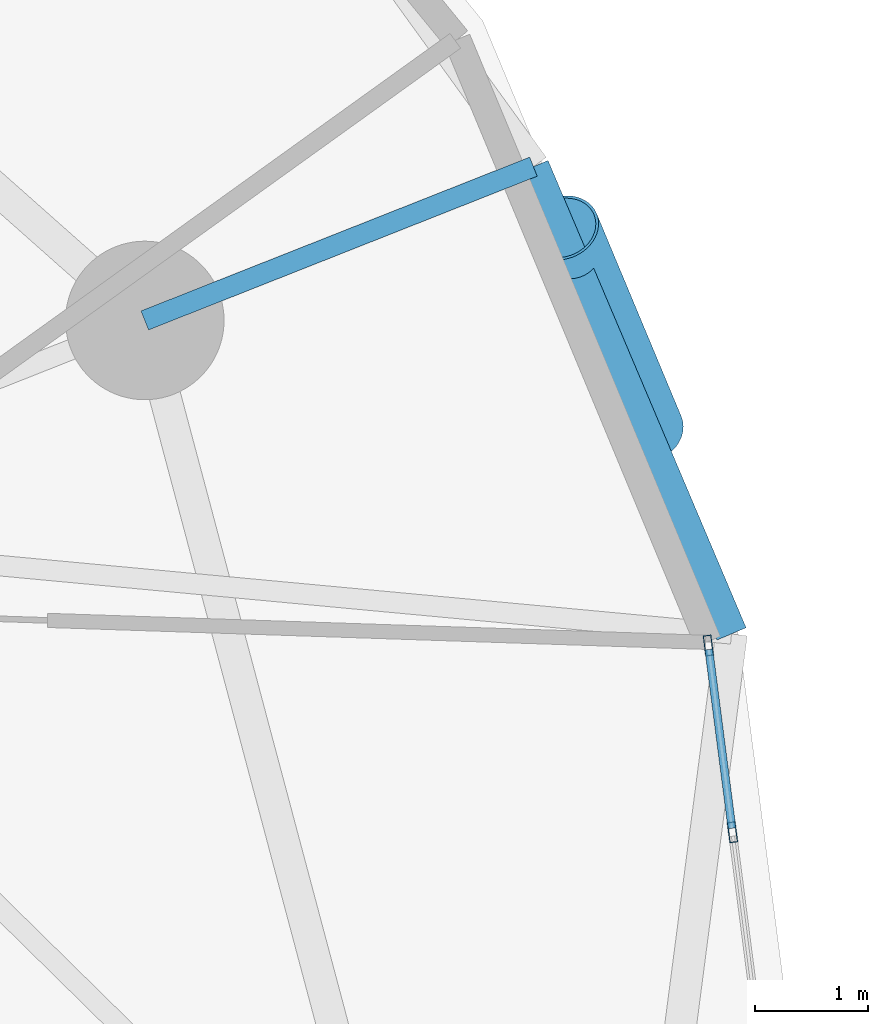
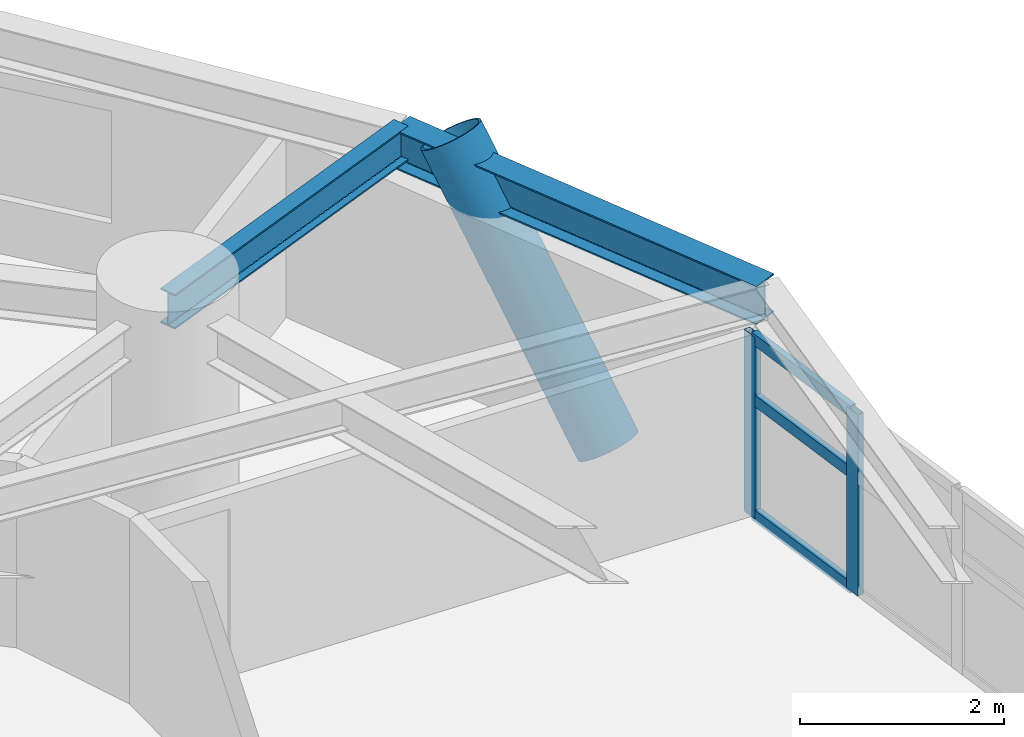
# One storey, part 4 of 17: 6 members, 2 beams, 1 element without a shape of its own.
"""IFC4 building model written with IfcOpenShell, lengths in metres."""

import ifcopenshell
import ifcopenshell.guid

model = None  # the IFC model being written
_history = None  # IfcOwnerHistory: only IFC2X3 demands one
_inside = {}  # id of a spatial element -> (the spatial element, [elements in it])
_under = {}  # id of a project, library or spatial element -> (it, [spatial elements below it])
_declared = {}  # id of a project -> (the project, [libraries it declares])
_typed = {}  # id of a type object -> (the type object, [elements of that type])
_made_of = {}  # id of a material, layer set ... -> (it, [elements and type objects made of it])


def new_model(schema):
    """Start an empty IFC model of exactly this schema.

    Asked for "IFC4X3", IfcOpenShell would pick the latest addendum, in which some entities
    have other attributes; the version numbers below select the first issue.
    IFC2X3 requires an IfcOwnerHistory on every rooted entity: one is made here for all.
    """
    global model, _history
    if schema == "IFC4X3":
        model = ifcopenshell.file(schema_version=(4, 3, 0, 0))
    else:
        model = ifcopenshell.file(schema=schema)
    _inside.clear()
    _under.clear()
    _declared.clear()
    _typed.clear()
    _made_of.clear()
    _history = None
    if model.schema == "IFC2X3":
        org = make("IfcOrganization", Name="unknown")
        user = make(
            "IfcPersonAndOrganization",
            ThePerson=make("IfcPerson", FamilyName="unknown"),
            TheOrganization=org,
        )
        app = make(
            "IfcApplication",
            ApplicationDeveloper=org,
            Version="unknown",
            ApplicationFullName="unknown",
            ApplicationIdentifier="unknown",
        )
        _history = make(
            "IfcOwnerHistory",
            OwningUser=user,
            OwningApplication=app,
            ChangeAction="ADDED",
            CreationDate=0,
        )
    return model


def make(cls, **values):
    """One entity of the class cls with the attributes given. An attribute that is None is left unset."""
    return model.create_entity(
        cls, **{name: value for name, value in values.items() if value is not None}
    )


def rooted(cls, **values):
    """An entity with a GlobalId (a new one), such as an element, a storey or a relation."""
    return make(cls, GlobalId=ifcopenshell.guid.new(), OwnerHistory=_history, **values)


def si_unit(unit_type, name, prefix=None):
    """IfcSIUnit, for example si_unit("LENGTHUNIT", "METRE", prefix="MILLI")."""
    return make("IfcSIUnit", UnitType=unit_type, Prefix=prefix, Name=name)


def assignment(units):
    """IfcUnitAssignment: the units of a project."""
    return None if units is None else make("IfcUnitAssignment", Units=units)


def point(xyz):
    """IfcCartesianPoint."""
    return None if xyz is None else make("IfcCartesianPoint", Coordinates=xyz)


def direction(xyz):
    """IfcDirection."""
    return None if xyz is None else make("IfcDirection", DirectionRatios=xyz)


def frame(location, z_axis=None, x_axis=None):
    """IfcAxis2Placement3D, a coordinate frame: its origin and axes. An axis left out is left unset."""
    return make(
        "IfcAxis2Placement3D",
        Location=point(location),
        Axis=direction(z_axis),
        RefDirection=direction(x_axis),
    )


def frame_2d(location, x_axis=None):
    """IfcAxis2Placement2D, a coordinate frame in the plane: its origin and x axis."""
    return make(
        "IfcAxis2Placement2D", Location=point(location), RefDirection=direction(x_axis)
    )


def origin():
    """The frame at (0, 0, 0) with its axes left unset."""
    return frame((0.0, 0.0, 0.0))


def origin_2d():
    """The frame at (0, 0) in the plane with its x axis left unset."""
    return frame_2d((0.0, 0.0))


def place(relative_to, where):
    """IfcLocalPlacement: puts the frame where relative to a parent placement (None: the world)."""
    return make(
        "IfcLocalPlacement", PlacementRelTo=relative_to, RelativePlacement=where
    )


def context(
    kind, dimensions, precision=None, world=None, true_north=None, identifier=None
):
    """IfcGeometricRepresentationContext, for example the 3D "Model" context."""
    return make(
        "IfcGeometricRepresentationContext",
        ContextIdentifier=identifier,
        ContextType=kind,
        CoordinateSpaceDimension=dimensions,
        Precision=precision,
        WorldCoordinateSystem=world,
        TrueNorth=true_north,
    )


def subcontext(parent, identifier, kind, view, scale=None):
    """IfcGeometricRepresentationSubContext, for example "Body" below "Model"."""
    return make(
        "IfcGeometricRepresentationSubContext",
        ContextIdentifier=identifier,
        ContextType=kind,
        ParentContext=parent,
        TargetScale=scale,
        TargetView=view,
    )


def project(units=None, contexts=None):
    """IfcProject with its units and contexts."""
    return rooted(
        "IfcProject",
        Name="project",
        RepresentationContexts=contexts,
        UnitsInContext=assignment(units),
    )


def spatial(cls, under=None, at=None, **own):
    """A site, building, storey or space (cls), placed at a placement, below another one or the project."""
    s = rooted(cls, ObjectPlacement=at, **own)
    if under is not None:
        _under.setdefault(under.id(), (under, []))[1].append(s)
    return s


def profile(cls, at=None, kind="AREA", **sizes):
    """A parametric profile (cls). Its sizes go by their IFC names, for example OverallWidth=200.0."""
    return make(cls, ProfileType=kind, Position=at, **sizes)


def hollow_rectangle(**sizes):
    """IfcRectangleHollowProfileDef."""
    return profile("IfcRectangleHollowProfileDef", **sizes)


def hollow_circle(**sizes):
    """IfcCircleHollowProfileDef."""
    return profile("IfcCircleHollowProfileDef", **sizes)


def i_section(**sizes):
    """IfcIShapeProfileDef."""
    return profile("IfcIShapeProfileDef", **sizes)


def extrude(swept, where, along, depth):
    """IfcExtrudedAreaSolid: the profile swept, set in the frame where, extruded along a direction by depth."""
    return make(
        "IfcExtrudedAreaSolid",
        SweptArea=swept,
        Position=where,
        ExtrudedDirection=direction(along),
        Depth=depth,
    )


def shape(context_of_items, identifier, shape_type, items):
    """IfcShapeRepresentation: the items that make up one representation, for example the "Body"."""
    return make(
        "IfcShapeRepresentation",
        ContextOfItems=context_of_items,
        RepresentationIdentifier=identifier,
        RepresentationType=shape_type,
        Items=items,
    )


def material(Name=None, Category=None):
    """IfcMaterial."""
    return make("IfcMaterial", Name=Name, Category=Category)


def layer(
    of_material, thickness, ventilated=None, Name=None, Category=None, Priority=None
):
    """IfcMaterialLayer: one layer of a wall or slab, of a material (None: an air gap)."""
    return make(
        "IfcMaterialLayer",
        Material=of_material,
        LayerThickness=thickness,
        IsVentilated=ventilated,
        Name=Name,
        Category=Category,
        Priority=Priority,
    )


def layer_set(layers, Name=None):
    """IfcMaterialLayerSet."""
    return make("IfcMaterialLayerSet", MaterialLayers=layers, LayerSetName=Name)


def material_profile(
    of_material, cross_section, Name=None, Category=None, Priority=None
):
    """IfcMaterialProfile: a cross section and its material."""
    return make(
        "IfcMaterialProfile",
        Name=Name,
        Material=of_material,
        Profile=cross_section,
        Priority=Priority,
        Category=Category,
    )


def profile_set(profiles, Name=None, composite=None):
    """IfcMaterialProfileSet."""
    return make(
        "IfcMaterialProfileSet",
        Name=Name,
        MaterialProfiles=profiles,
        CompositeProfile=composite,
    )


def made_of(thing, what):
    """Note that an element or type object is made of a material, layer set ...; save() writes the relation."""
    if what is not None:
        _made_of.setdefault(what.id(), (what, []))[1].append(thing)
    return thing


def type_object(cls, material=None, **own):
    """A type object (cls), such as IfcWallType, which elements share."""
    return made_of(rooted(cls, **own), material)


def element(
    cls,
    number,
    at=None,
    inside=None,
    cuts=None,
    type_object=None,
    material=None,
    context=None,
    identifier="Body",
    shape_type=None,
    held_by="IfcProductDefinitionShape",
    body=None,
    shapes=None,
    **own,
):
    """One element of the class cls, such as IfcWall. Its Tag is "e" and its number.

    at: its placement. inside: the storey or other place that contains it. cuts: it is an
    opening in that element (IfcRelVoidsElement). A single representation is given by context,
    identifier, shape_type and body (its items); several are given by shapes. held_by: the class
    of the entity that holds the representations. save() writes the other relations.
    """
    e = rooted(cls, Tag="e%d" % number, ObjectPlacement=at, **own)
    if body is not None:
        shapes = [shape(context, identifier, shape_type, body)]
    if shapes is not None:
        e.Representation = make(held_by, Representations=shapes)
    if inside is not None:
        _inside.setdefault(inside.id(), (inside, []))[1].append(e)
    if cuts is not None:
        rooted(
            "IfcRelVoidsElement", RelatingBuildingElement=cuts, RelatedOpeningElement=e
        )
    if type_object is not None:
        _typed.setdefault(type_object.id(), (type_object, []))[1].append(e)
    return made_of(e, material)


def aggregate(whole, parts):
    """IfcRelAggregates: a whole, such as a stair, and the parts it consists of."""
    return rooted("IfcRelAggregates", RelatingObject=whole, RelatedObjects=parts)


def save(model, path):
    """Write the relations noted so far, then the file.

    IfcRelAggregates (storeys below a building ...), IfcRelContainedInSpatialStructure (elements
    in a storey), IfcRelDefinesByType, IfcRelAssociatesMaterial and IfcRelDeclares: one each for
    every whole, place, type object, material and project.
    """
    for whole, parts in _under.values():
        aggregate(whole, parts)
    for where, things in _inside.values():
        rooted(
            "IfcRelContainedInSpatialStructure",
            RelatedElements=things,
            RelatingStructure=where,
        )
    for kind, things in _typed.values():
        rooted("IfcRelDefinesByType", RelatedObjects=things, RelatingType=kind)
    for what, things in _made_of.values():
        rooted("IfcRelAssociatesMaterial", RelatedObjects=things, RelatingMaterial=what)
    for by, libraries in _declared.values():
        rooted("IfcRelDeclares", RelatingContext=by, RelatedDefinitions=libraries)
    model.write(path)


model = new_model("IFC4")

# Units and contexts
model_context = context("Model", 3, precision=1e-05, world=origin(), true_north=direction((0.0, 1.0)))
body_context = subcontext(model_context, "Body", "Model", "MODEL_VIEW")
ifc_project = project(units=[si_unit("LENGTHUNIT", "METRE"), si_unit("AREAUNIT", "SQUARE_METRE"), si_unit("VOLUMEUNIT", "CUBIC_METRE"), si_unit("PLANEANGLEUNIT", "RADIAN"), si_unit("MASSUNIT", "GRAM", prefix="KILO")], contexts=[model_context])

# Site, building, storey
site_placement = place(None, origin())
site = spatial("IfcSite", under=ifc_project, at=site_placement, CompositionType="ELEMENT")
building_placement = place(site_placement, origin())
building = spatial("IfcBuilding", under=site, at=building_placement, Name="Cununo Teusaquillo Station Towers", CompositionType="ELEMENT")
storey_placement = place(building_placement, frame((0.0, 0.0, 78.8798828125)))
storey = spatial("IfcBuildingStorey", under=building, at=storey_placement, Name="L24", CompositionType="ELEMENT", Elevation=78.8798828125)

# Beams
ifc_material_1 = material(Name="Steel ASTM A572 Grade 50", Category="steel")
ifc_material_profile_1 = material_profile(ifc_material_1, i_section(OverallWidth=0.180908203125, OverallDepth=0.4169921875, WebThickness=0.010986328125, FlangeThickness=0.018310546875, FilletRadius=0.012939453125, at=origin_2d()), Name="W16X57")
ifc_profile_set_1 = profile_set([ifc_material_profile_1], Name="Steel ASTM A572 Grade 50")
beam_type_1 = type_object("IfcBeamType", Name="BM-RAD-G2", PredefinedType="BEAM", material=ifc_profile_set_1)
beam_1_placement = place(storey_placement, frame((26.347412109375, 33.228515625, 2.461669921875), z_axis=(0.929861788731, 0.367909029323, 0.0), x_axis=(-0.367909029323, 0.929861788731, 0.0)))
element("IfcBeam", 1, at=beam_1_placement, inside=storey, type_object=beam_type_1, Name="L24 Tower A Perimeter Overhang Girder 02B", PredefinedType="BEAM", context=body_context, shape_type="SweptSolid", body=[
    extrude(i_section(OverallWidth=0.180908203125, OverallDepth=0.4169921875, WebThickness=0.010986328125, FlangeThickness=0.018310546875, FilletRadius=0.012939453125, at=origin_2d()), origin(), (0.0, 0.0, 1.0), 3.690185546875),
])
ifc_material_2 = material(Name="Steel ASTM A572 Grade 50", Category="steel")
ifc_material_profile_2 = material_profile(ifc_material_2, i_section(OverallWidth=0.280029296875, OverallDepth=0.462890625, WebThickness=0.0107421875, FlangeThickness=0.017333984375, FilletRadius=0.013916015625, at=origin_2d()), Name="W18X76")
ifc_profile_set_2 = profile_set([ifc_material_profile_2], Name="Steel ASTM A572 Grade 50")
beam_type_2 = type_object("IfcBeamType", Name="BM-RING-Z2", PredefinedType="SPANDREL", material=ifc_profile_set_2)
beam_2_placement = place(storey_placement, frame((31.527587890625, 30.4609375, 2.438720703125), z_axis=(-0.390299356049, 0.920688010494, 0.0), x_axis=(-0.920688010494, -0.390299356049, 0.0)))
element("IfcBeam", 2, at=beam_2_placement, inside=storey, type_object=beam_type_2, Name="L24 Tower A Spandrel Ring Beam 02", PredefinedType="SPANDREL", context=body_context, shape_type="SweptSolid", body=[
    extrude(i_section(OverallWidth=0.280029296875, OverallDepth=0.462890625, WebThickness=0.0107421875, FlangeThickness=0.017333984375, FilletRadius=0.013916015625, at=origin_2d()), origin(), (0.0, 0.0, 1.0), 4.480712890625),
])

# Curtain wall, members
ifc_material_3 = material(Name="Ceramic-fritted dark low-E double glazing", Category="glass")
ifc_layer = layer(ifc_material_3, 0.179931640625)
ifc_layer_set = layer_set([ifc_layer], Name="Ceramic-fritted dark low-E double glazing")
curtain_wall_type = type_object("IfcCurtainWallType", Name="CW-SYS-04", PredefinedType="USERDEFINED", material=ifc_layer_set)
curtain_wall_placement = place(storey_placement, origin())
curtain_wall = element("IfcCurtainWall", 3, at=curtain_wall_placement, inside=storey, type_object=curtain_wall_type, Name="L24 Tower A Facade Curtain Wall C00", ObjectType="FRITTED GLAZING", PredefinedType="USERDEFINED")
ifc_material_4 = material(Name="Anodised dark bronze aluminium EN AW-6063-T6", Category="aluminium")
ifc_material_profile_3 = material_profile(ifc_material_4, hollow_rectangle(XDim=0.070068359375, YDim=0.179931640625, WallThickness=0.00390625, at=origin_2d()), Name="CW-MULL-70x180")
ifc_profile_set_3 = profile_set([ifc_material_profile_3], Name="Anodised dark bronze aluminium EN AW-6063-T6")
member_type_1 = type_object("IfcMemberType", Name="CWM-180", PredefinedType="MULLION", material=ifc_profile_set_3)
member_1_placement = place(storey_placement, frame((31.322998046875, 30.3583984375, 0.0), z_axis=(0.0, 0.0, 1.0), x_axis=(0.991730764367, 0.128335852387, 0.0)))
member_1 = element("IfcMember", 4, at=member_1_placement, type_object=member_type_1, Name="CW-04 mullion 1", PredefinedType="MULLION", context=body_context, shape_type="SweptSolid", body=[
    extrude(hollow_rectangle(XDim=0.070068359375, YDim=0.179931640625, WallThickness=0.00390625, at=origin_2d()), origin(), (0.0, 0.0, 1.0), 2.17919921875),
])
member_2_placement = place(storey_placement, frame((31.5361328125, 28.709716796875, 0.0), z_axis=(0.0, 0.0, 1.0), x_axis=(0.991730764367, 0.128335852387, 0.0)))
member_2 = element("IfcMember", 5, at=member_2_placement, type_object=member_type_1, Name="CW-04 mullion 2", PredefinedType="MULLION", context=body_context, shape_type="SweptSolid", body=[
    extrude(hollow_rectangle(XDim=0.070068359375, YDim=0.179931640625, WallThickness=0.00390625, at=origin_2d()), origin(), (0.0, 0.0, 1.0), 2.17919921875),
])
ifc_material_5 = material(Name="Anodised dark bronze aluminium EN AW-6063-T6", Category="aluminium")
ifc_material_profile_4 = material_profile(ifc_material_5, hollow_rectangle(XDim=0.070068359375, YDim=0.139892578125, WallThickness=0.00390625, at=origin_2d()), Name="CW-TRAN-70x140")
ifc_profile_set_4 = profile_set([ifc_material_profile_4], Name="Anodised dark bronze aluminium EN AW-6063-T6")
member_type_2 = type_object("IfcMemberType", Name="CWT-140", PredefinedType="USERDEFINED", material=ifc_profile_set_4)
member_3_placement = place(storey_placement, frame((31.327392578125, 30.323486328125, 0.03515625), z_axis=(0.128336210724, -0.991730717996, 0.0), x_axis=(0.991730717996, 0.128336210724, 0.0)))
member_3 = element("IfcMember", 6, at=member_3_placement, type_object=member_type_2, Name="CW-04 transom 1.1", ObjectType="TRANSOM", PredefinedType="USERDEFINED", context=body_context, shape_type="SweptSolid", body=[
    extrude(hollow_rectangle(XDim=0.070068359375, YDim=0.139892578125, WallThickness=0.00390625, at=origin_2d()), origin(), (0.0, 0.0, 1.0), 1.59228515625),
])
member_4_placement = place(storey_placement, frame((31.327392578125, 30.323486328125, 1.416015625), z_axis=(0.128336210724, -0.991730717996, 0.0), x_axis=(0.991730717996, 0.128336210724, 0.0)))
member_4 = element("IfcMember", 7, at=member_4_placement, type_object=member_type_2, Name="CW-04 transom 1.2", ObjectType="TRANSOM", PredefinedType="USERDEFINED", context=body_context, shape_type="SweptSolid", body=[
    extrude(hollow_rectangle(XDim=0.070068359375, YDim=0.139892578125, WallThickness=0.00390625, at=origin_2d()), origin(), (0.0, 0.0, 1.0), 1.59228515625),
])
member_5_placement = place(storey_placement, frame((31.327392578125, 30.323486328125, 2.14404296875), z_axis=(0.128336210724, -0.991730717996, 0.0), x_axis=(0.991730717996, 0.128336210724, 0.0)))
member_5 = element("IfcMember", 8, at=member_5_placement, type_object=member_type_2, Name="CW-04 transom 1.3", ObjectType="TRANSOM", PredefinedType="USERDEFINED", context=body_context, shape_type="SweptSolid", body=[
    extrude(hollow_rectangle(XDim=0.070068359375, YDim=0.139892578125, WallThickness=0.00390625, at=origin_2d()), origin(), (0.0, 0.0, 1.0), 1.59228515625),
])
aggregate(curtain_wall, [member_1, member_2, member_3, member_4, member_5])

# Member
ifc_material_6 = material(Name="Steel EN 10025-2 S355J2", Category="steel")
ifc_material_profile_5 = material_profile(ifc_material_6, hollow_circle(Radius=0.330078125, WallThickness=0.02490234375, at=origin_2d()), Name="CHS 660x25")
ifc_profile_set_5 = profile_set([ifc_material_profile_5], Name="Steel EN 10025-2 S355J2")
member_type_3 = type_object("IfcMemberType", Name="MBR-DIAG-Z2", PredefinedType="BRACE", material=ifc_profile_set_5)
member_6_placement = place(storey_placement, frame((30.779541015625, 32.25341796875, -0.139892578125), z_axis=(-0.213813667787, 0.512343325357, 0.831737958993), x_axis=(-0.922861086318, -0.385132983993, 0.0)))
element("IfcMember", 9, at=member_6_placement, inside=storey, type_object=member_type_3, Name="L24 Tower A Folded-Zigzag Diagrid Tube C01", PredefinedType="BRACE", context=body_context, shape_type="SweptSolid", body=[
    extrude(hollow_circle(Radius=0.330078125, WallThickness=0.02490234375, at=origin_2d()), origin(), (0.0, 0.0, 1.0), 3.49853515625),
])

save(model, "model.ifc")
